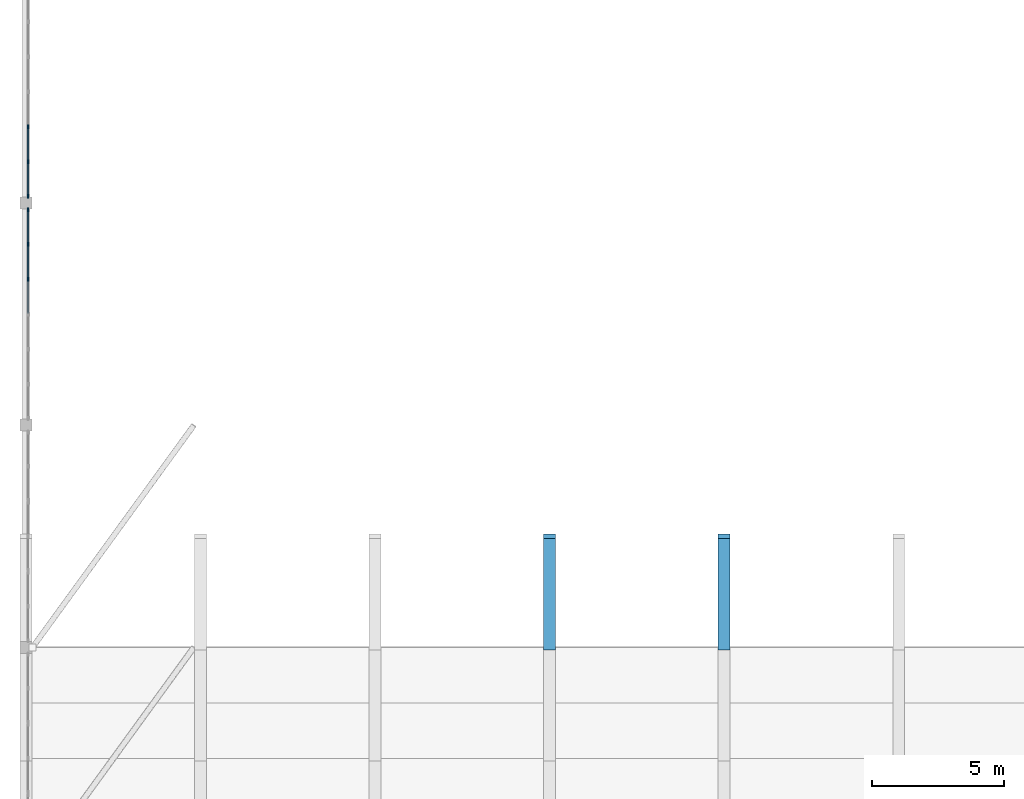
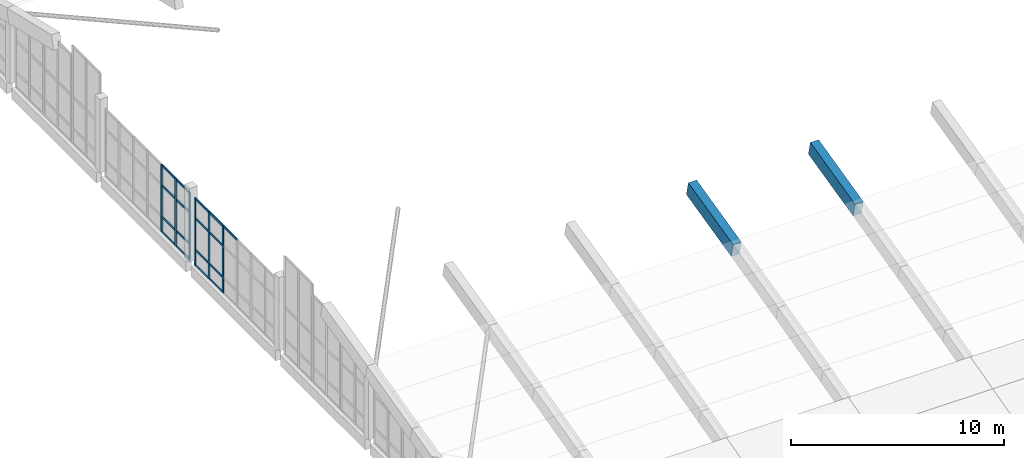
# One storey, part 7 of 78: 23 members, 2 beams, 2 elements without a shape of their own.
"""IFC4 building model written with IfcOpenShell, lengths in metres."""

from ifc_helpers import new_model, si_unit, direction, frame, origin, origin_2d, place, context, subcontext, project, spatial, rectangle, extrude, material, material_profile, profile_set, type_object, element, aggregate, save


model = new_model("IFC4")

# Units and contexts
model_context = context("Model", 3, precision=1e-05, world=origin(), true_north=direction((0.0, 1.0)))
body_context = subcontext(model_context, "Body", "Model", "MODEL_VIEW")
ifc_project = project(units=[si_unit("LENGTHUNIT", "METRE"), si_unit("AREAUNIT", "SQUARE_METRE"), si_unit("VOLUMEUNIT", "CUBIC_METRE"), si_unit("PLANEANGLEUNIT", "RADIAN"), si_unit("MASSUNIT", "GRAM", prefix="KILO")], contexts=[model_context])

# Site, building, storey
site_placement = place(None, origin())
site = spatial("IfcSite", under=ifc_project, at=site_placement, CompositionType="ELEMENT")
building_placement = place(site_placement, origin())
building = spatial("IfcBuilding", under=site, at=building_placement, Name="Qaldarim Faculty of Natural and Applied Sciences", CompositionType="ELEMENT")
storey_placement = place(building_placement, frame((0.0, 0.0, 18.60009765625)))
storey = spatial("IfcBuildingStorey", under=building, at=storey_placement, Name="L04", CompositionType="ELEMENT", Elevation=18.60009765625)

# Curtain wall, members
ifc_material_1 = material(Name="Anodised aluminium AW-6063", Category="aluminium")
curtain_wall_type = type_object("IfcCurtainWallType", Name="CurtainWallSystem-M1300", PredefinedType="USERDEFINED", material=ifc_material_1)
curtain_wall_1_placement = place(storey_placement, origin())
curtain_wall_1 = element("IfcCurtainWall", 1, at=curtain_wall_1_placement, inside=storey, type_object=curtain_wall_type, Name="Curtain wall CW-GABLE-L04-W-Y06", ObjectType="STICK CURTAIN WALL", PredefinedType="USERDEFINED")
ifc_material_profile_1 = material_profile(ifc_material_1, rectangle(XDim=0.06005859375, YDim=0.14990234375, at=origin_2d()), Name="ALU-M60x150")
ifc_profile_set_1 = profile_set([ifc_material_profile_1], Name="Anodised aluminium AW-6063")
member_type_1 = type_object("IfcMemberType", Name="Mullion-ALU60x150", PredefinedType="MULLION", material=ifc_profile_set_1)
member_1_placement = place(storey_placement, frame((0.080078125, 50.139892578125, -0.260009765625), z_axis=(0.0, 0.0, 1.0), x_axis=(1.0, 0.0, 0.0)))
member_1 = element("IfcMember", 2, at=member_1_placement, type_object=member_type_1, Name="Mullion 1 of CW-GABLE-L04-W-Y06", PredefinedType="MULLION", context=body_context, shape_type="SweptSolid", body=[
    extrude(rectangle(XDim=0.06005859375, YDim=0.14990234375, at=origin_2d()), origin(), (0.0, 0.0, 1.0), 3.85986328125),
])
member_2_placement = place(storey_placement, frame((0.080078125, 48.8466796875, -0.260009765625), z_axis=(0.0, 0.0, 1.0), x_axis=(1.0, 0.0, 0.0)))
member_2 = element("IfcMember", 3, at=member_2_placement, type_object=member_type_1, Name="Mullion 2 of CW-GABLE-L04-W-Y06", PredefinedType="MULLION", context=body_context, shape_type="SweptSolid", body=[
    extrude(rectangle(XDim=0.06005859375, YDim=0.14990234375, at=origin_2d()), origin(), (0.0, 0.0, 1.0), 3.85986328125),
])
member_3_placement = place(storey_placement, frame((0.080078125, 47.523193359375, -0.260009765625), z_axis=(0.0, 0.0, 1.0), x_axis=(1.0, 0.0, 0.0)))
member_3 = element("IfcMember", 4, at=member_3_placement, type_object=member_type_1, Name="Mullion 3 of CW-GABLE-L04-W-Y06", PredefinedType="MULLION", context=body_context, shape_type="SweptSolid", body=[
    extrude(rectangle(XDim=0.06005859375, YDim=0.14990234375, at=origin_2d()), origin(), (0.0, 0.0, 1.0), 3.85986328125),
])

curtain_wall_2_placement = place(storey_placement, origin())
curtain_wall_2 = element("IfcCurtainWall", 5, at=curtain_wall_2_placement, inside=storey, type_object=curtain_wall_type, Name="Curtain wall CW-GABLE-L04-W-Y07", ObjectType="STICK CURTAIN WALL", PredefinedType="USERDEFINED")
member_4_placement = place(storey_placement, frame((0.080078125, 53.276611328125, -0.260009765625), z_axis=(0.0, 0.0, 1.0), x_axis=(1.0, 0.0, 0.0)))
member_4 = element("IfcMember", 6, at=member_4_placement, type_object=member_type_1, Name="Mullion 5 of CW-GABLE-L04-W-Y07", PredefinedType="MULLION", context=body_context, shape_type="SweptSolid", body=[
    extrude(rectangle(XDim=0.06005859375, YDim=0.14990234375, at=origin_2d()), origin(), (0.0, 0.0, 1.0), 3.85986328125),
])
member_5_placement = place(storey_placement, frame((0.080078125, 51.953369140625, -0.260009765625), z_axis=(0.0, 0.0, 1.0), x_axis=(1.0, 0.0, 0.0)))
member_5 = element("IfcMember", 7, at=member_5_placement, type_object=member_type_1, Name="Mullion 6 of CW-GABLE-L04-W-Y07", PredefinedType="MULLION", context=body_context, shape_type="SweptSolid", body=[
    extrude(rectangle(XDim=0.06005859375, YDim=0.14990234375, at=origin_2d()), origin(), (0.0, 0.0, 1.0), 3.85986328125),
])
member_6_placement = place(storey_placement, frame((0.080078125, 50.659912109375, -0.260009765625), z_axis=(0.0, 0.0, 1.0), x_axis=(1.0, 0.0, 0.0)))
member_6 = element("IfcMember", 8, at=member_6_placement, type_object=member_type_1, Name="Mullion 7 of CW-GABLE-L04-W-Y07", PredefinedType="MULLION", context=body_context, shape_type="SweptSolid", body=[
    extrude(rectangle(XDim=0.06005859375, YDim=0.14990234375, at=origin_2d()), origin(), (0.0, 0.0, 1.0), 3.85986328125),
])

# Beams
ifc_material_2 = material(Name="Concrete C50/60", Category="concrete")
ifc_material_profile_2 = material_profile(ifc_material_2, rectangle(XDim=0.449951171875, YDim=0.800048828125, at=origin_2d()), Name="RC-RIB450x800")
ifc_profile_set_2 = profile_set([ifc_material_profile_2], Name="Concrete C50/60")
beam_type = type_object("IfcBeamType", Name="ShellArchRib-RC450x800", PredefinedType="BEAM", material=ifc_profile_set_2)
for number, where, z_axis, x_axis, name in (
    (9, (19.800048828125, 33.60009765625, 3.77978515625), (0.0, 0.972805607937, 0.231623075633), (-1.0, 0.0, 0.0), "Shell arch rib 4 S segment 5"),
    (10, (26.39990234375, 33.60009765625, 3.77978515625), (0.0, 0.972805607937, 0.231623075633), (-1.0, 0.0, 0.0), "Shell arch rib 5 S segment 5"),
):
    element("IfcBeam", number, at=place(storey_placement, frame(where, z_axis=z_axis, x_axis=x_axis)), inside=storey, type_object=beam_type, Name=name, PredefinedType="BEAM", context=body_context, shape_type="SweptSolid", body=[
        extrude(rectangle(XDim=0.449951171875, YDim=0.800048828125, at=origin_2d()), origin(), (0.0, 0.0, 1.0), 4.3173828125),
    ])

# Member
ifc_material_profile_3 = material_profile(ifc_material_1, rectangle(XDim=0.06005859375, YDim=0.1201171875, at=origin_2d()), Name="ALU-T60x120")
ifc_profile_set_3 = profile_set([ifc_material_profile_3], Name="Anodised aluminium AW-6063")
member_type_2 = type_object("IfcMemberType", Name="Transom-ALU60x120", PredefinedType="USERDEFINED", material=ifc_profile_set_3)
member_7_placement = place(storey_placement, frame((0.080078125, 50.110107421875, -0.22998046875), z_axis=(0.0, -1.0, 0.0), x_axis=(1.0, 0.0, 0.0)))
member_7 = element("IfcMember", 11, at=member_7_placement, type_object=member_type_2, Name="Transom 1-1 of CW-GABLE-L04-W-Y06", ObjectType="TRANSOM", PredefinedType="USERDEFINED", context=body_context, shape_type="SweptSolid", body=[
    extrude(rectangle(XDim=0.06005859375, YDim=0.1201171875, at=origin_2d()), origin(), (0.0, 0.0, 1.0), 1.2333984375),
])

member_8_placement = place(storey_placement, frame((0.080078125, 50.110107421875, 0.639892578125), z_axis=(0.0, -1.0, 0.0), x_axis=(1.0, 0.0, 0.0)))
member_8 = element("IfcMember", 12, at=member_8_placement, type_object=member_type_2, Name="Transom 1-2 of CW-GABLE-L04-W-Y06", ObjectType="TRANSOM", PredefinedType="USERDEFINED", context=body_context, shape_type="SweptSolid", body=[
    extrude(rectangle(XDim=0.06005859375, YDim=0.1201171875, at=origin_2d()), origin(), (0.0, 0.0, 1.0), 1.2333984375),
])

member_9_placement = place(storey_placement, frame((0.080078125, 50.110107421875, 2.43994140625), z_axis=(0.0, -1.0, 0.0), x_axis=(1.0, 0.0, 0.0)))
member_9 = element("IfcMember", 13, at=member_9_placement, type_object=member_type_2, Name="Transom 1-3 of CW-GABLE-L04-W-Y06", ObjectType="TRANSOM", PredefinedType="USERDEFINED", context=body_context, shape_type="SweptSolid", body=[
    extrude(rectangle(XDim=0.06005859375, YDim=0.1201171875, at=origin_2d()), origin(), (0.0, 0.0, 1.0), 1.2333984375),
])

member_10_placement = place(storey_placement, frame((0.080078125, 50.110107421875, 3.56982421875), z_axis=(0.0, -1.0, 0.0), x_axis=(1.0, 0.0, 0.0)))
member_10 = element("IfcMember", 14, at=member_10_placement, type_object=member_type_2, Name="Transom 1-4 of CW-GABLE-L04-W-Y06", ObjectType="TRANSOM", PredefinedType="USERDEFINED", context=body_context, shape_type="SweptSolid", body=[
    extrude(rectangle(XDim=0.06005859375, YDim=0.1201171875, at=origin_2d()), origin(), (0.0, 0.0, 1.0), 1.2333984375),
])

member_11_placement = place(storey_placement, frame((0.080078125, 48.816650390625, -0.22998046875), z_axis=(0.0, -1.0, 0.0), x_axis=(1.0, 0.0, 0.0)))
member_11 = element("IfcMember", 15, at=member_11_placement, type_object=member_type_2, Name="Transom 2-1 of CW-GABLE-L04-W-Y06", ObjectType="TRANSOM", PredefinedType="USERDEFINED", context=body_context, shape_type="SweptSolid", body=[
    extrude(rectangle(XDim=0.06005859375, YDim=0.1201171875, at=origin_2d()), origin(), (0.0, 0.0, 1.0), 1.263427734375),
])

member_12_placement = place(storey_placement, frame((0.080078125, 48.816650390625, 0.639892578125), z_axis=(0.0, -1.0, 0.0), x_axis=(1.0, 0.0, 0.0)))
member_12 = element("IfcMember", 16, at=member_12_placement, type_object=member_type_2, Name="Transom 2-2 of CW-GABLE-L04-W-Y06", ObjectType="TRANSOM", PredefinedType="USERDEFINED", context=body_context, shape_type="SweptSolid", body=[
    extrude(rectangle(XDim=0.06005859375, YDim=0.1201171875, at=origin_2d()), origin(), (0.0, 0.0, 1.0), 1.263427734375),
])

member_13_placement = place(storey_placement, frame((0.080078125, 48.816650390625, 2.43994140625), z_axis=(0.0, -1.0, 0.0), x_axis=(1.0, 0.0, 0.0)))
member_13 = element("IfcMember", 17, at=member_13_placement, type_object=member_type_2, Name="Transom 2-3 of CW-GABLE-L04-W-Y06", ObjectType="TRANSOM", PredefinedType="USERDEFINED", context=body_context, shape_type="SweptSolid", body=[
    extrude(rectangle(XDim=0.06005859375, YDim=0.1201171875, at=origin_2d()), origin(), (0.0, 0.0, 1.0), 1.263427734375),
])

member_14_placement = place(storey_placement, frame((0.080078125, 48.816650390625, 3.56982421875), z_axis=(0.0, -1.0, 0.0), x_axis=(1.0, 0.0, 0.0)))
member_14 = element("IfcMember", 18, at=member_14_placement, type_object=member_type_2, Name="Transom 2-4 of CW-GABLE-L04-W-Y06", ObjectType="TRANSOM", PredefinedType="USERDEFINED", context=body_context, shape_type="SweptSolid", body=[
    extrude(rectangle(XDim=0.06005859375, YDim=0.1201171875, at=origin_2d()), origin(), (0.0, 0.0, 1.0), 1.263427734375),
])

member_15_placement = place(storey_placement, frame((0.080078125, 47.493408203125, 3.56982421875), z_axis=(0.0, -1.0, 0.0), x_axis=(1.0, 0.0, 0.0)))
member_15 = element("IfcMember", 19, at=member_15_placement, type_object=member_type_2, Name="Transom 3-4 of CW-GABLE-L04-W-Y06", ObjectType="TRANSOM", PredefinedType="USERDEFINED", context=body_context, shape_type="SweptSolid", body=[
    extrude(rectangle(XDim=0.06005859375, YDim=0.1201171875, at=origin_2d()), origin(), (0.0, 0.0, 1.0), 1.263427734375),
])

aggregate(curtain_wall_1, [member_1, member_2, member_3, member_7, member_8, member_9, member_10, member_11, member_12, member_13, member_14, member_15])

member_16_placement = place(storey_placement, frame((0.080078125, 53.24658203125, -0.22998046875), z_axis=(0.0, -1.0, 0.0), x_axis=(1.0, 0.0, 0.0)))
member_16 = element("IfcMember", 20, at=member_16_placement, type_object=member_type_2, Name="Transom 5-1 of CW-GABLE-L04-W-Y07", ObjectType="TRANSOM", PredefinedType="USERDEFINED", context=body_context, shape_type="SweptSolid", body=[
    extrude(rectangle(XDim=0.06005859375, YDim=0.1201171875, at=origin_2d()), origin(), (0.0, 0.0, 1.0), 1.26318359375),
])

member_17_placement = place(storey_placement, frame((0.080078125, 53.24658203125, 0.639892578125), z_axis=(0.0, -1.0, 0.0), x_axis=(1.0, 0.0, 0.0)))
member_17 = element("IfcMember", 21, at=member_17_placement, type_object=member_type_2, Name="Transom 5-2 of CW-GABLE-L04-W-Y07", ObjectType="TRANSOM", PredefinedType="USERDEFINED", context=body_context, shape_type="SweptSolid", body=[
    extrude(rectangle(XDim=0.06005859375, YDim=0.1201171875, at=origin_2d()), origin(), (0.0, 0.0, 1.0), 1.26318359375),
])

member_18_placement = place(storey_placement, frame((0.080078125, 53.24658203125, 2.43994140625), z_axis=(0.0, -1.0, 0.0), x_axis=(1.0, 0.0, 0.0)))
member_18 = element("IfcMember", 22, at=member_18_placement, type_object=member_type_2, Name="Transom 5-3 of CW-GABLE-L04-W-Y07", ObjectType="TRANSOM", PredefinedType="USERDEFINED", context=body_context, shape_type="SweptSolid", body=[
    extrude(rectangle(XDim=0.06005859375, YDim=0.1201171875, at=origin_2d()), origin(), (0.0, 0.0, 1.0), 1.26318359375),
])

member_19_placement = place(storey_placement, frame((0.080078125, 53.24658203125, 3.56982421875), z_axis=(0.0, -1.0, 0.0), x_axis=(1.0, 0.0, 0.0)))
member_19 = element("IfcMember", 23, at=member_19_placement, type_object=member_type_2, Name="Transom 5-4 of CW-GABLE-L04-W-Y07", ObjectType="TRANSOM", PredefinedType="USERDEFINED", context=body_context, shape_type="SweptSolid", body=[
    extrude(rectangle(XDim=0.06005859375, YDim=0.1201171875, at=origin_2d()), origin(), (0.0, 0.0, 1.0), 1.26318359375),
])

member_20_placement = place(storey_placement, frame((0.080078125, 51.92333984375, -0.22998046875), z_axis=(0.0, -1.0, 0.0), x_axis=(1.0, 0.0, 0.0)))
member_20 = element("IfcMember", 24, at=member_20_placement, type_object=member_type_2, Name="Transom 6-1 of CW-GABLE-L04-W-Y07", ObjectType="TRANSOM", PredefinedType="USERDEFINED", context=body_context, shape_type="SweptSolid", body=[
    extrude(rectangle(XDim=0.06005859375, YDim=0.1201171875, at=origin_2d()), origin(), (0.0, 0.0, 1.0), 1.2333984375),
])

member_21_placement = place(storey_placement, frame((0.080078125, 51.92333984375, 0.639892578125), z_axis=(0.0, -1.0, 0.0), x_axis=(1.0, 0.0, 0.0)))
member_21 = element("IfcMember", 25, at=member_21_placement, type_object=member_type_2, Name="Transom 6-2 of CW-GABLE-L04-W-Y07", ObjectType="TRANSOM", PredefinedType="USERDEFINED", context=body_context, shape_type="SweptSolid", body=[
    extrude(rectangle(XDim=0.06005859375, YDim=0.1201171875, at=origin_2d()), origin(), (0.0, 0.0, 1.0), 1.2333984375),
])

member_22_placement = place(storey_placement, frame((0.080078125, 51.92333984375, 2.43994140625), z_axis=(0.0, -1.0, 0.0), x_axis=(1.0, 0.0, 0.0)))
member_22 = element("IfcMember", 26, at=member_22_placement, type_object=member_type_2, Name="Transom 6-3 of CW-GABLE-L04-W-Y07", ObjectType="TRANSOM", PredefinedType="USERDEFINED", context=body_context, shape_type="SweptSolid", body=[
    extrude(rectangle(XDim=0.06005859375, YDim=0.1201171875, at=origin_2d()), origin(), (0.0, 0.0, 1.0), 1.2333984375),
])

member_23_placement = place(storey_placement, frame((0.080078125, 51.92333984375, 3.56982421875), z_axis=(0.0, -1.0, 0.0), x_axis=(1.0, 0.0, 0.0)))
member_23 = element("IfcMember", 27, at=member_23_placement, type_object=member_type_2, Name="Transom 6-4 of CW-GABLE-L04-W-Y07", ObjectType="TRANSOM", PredefinedType="USERDEFINED", context=body_context, shape_type="SweptSolid", body=[
    extrude(rectangle(XDim=0.06005859375, YDim=0.1201171875, at=origin_2d()), origin(), (0.0, 0.0, 1.0), 1.2333984375),
])

aggregate(curtain_wall_2, [member_4, member_5, member_6, member_16, member_17, member_18, member_19, member_20, member_21, member_22, member_23])

save(model, "model.ifc")
